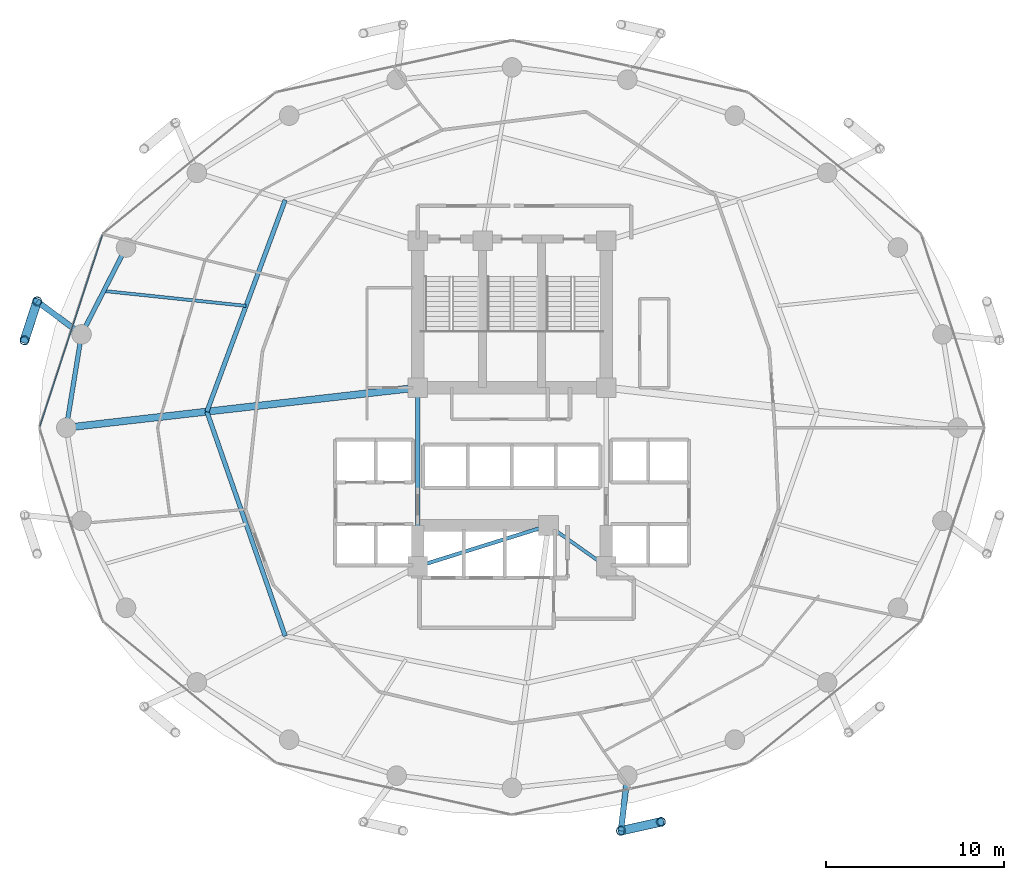
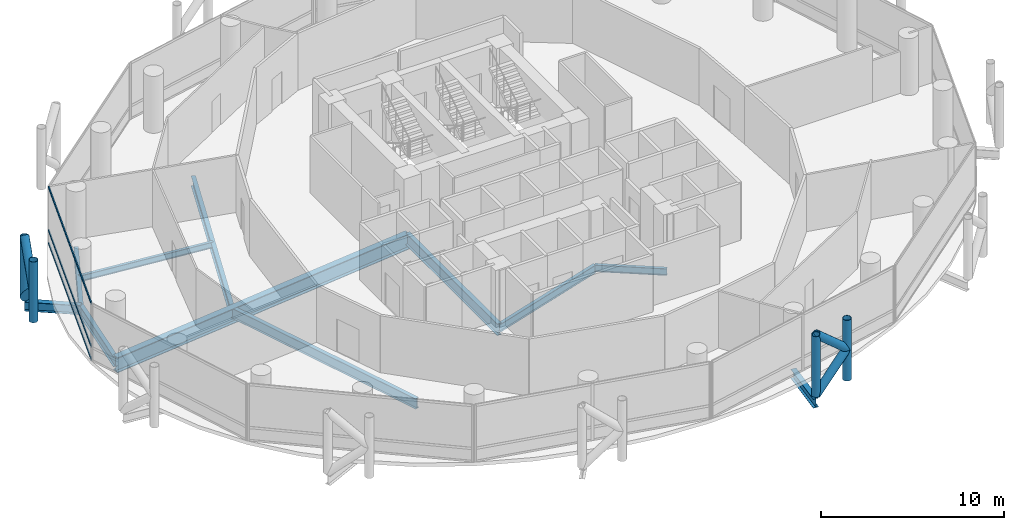
# One storey, part 7 of 24: 11 beams, 11 members, 1 element without a shape of its own.
"""IFC4 building model written with IfcOpenShell, lengths in metres."""

import ifcopenshell
import ifcopenshell.guid

model = None  # the IFC model being written
_history = None  # IfcOwnerHistory: only IFC2X3 demands one
_inside = {}  # id of a spatial element -> (the spatial element, [elements in it])
_under = {}  # id of a project, library or spatial element -> (it, [spatial elements below it])
_declared = {}  # id of a project -> (the project, [libraries it declares])
_typed = {}  # id of a type object -> (the type object, [elements of that type])
_made_of = {}  # id of a material, layer set ... -> (it, [elements and type objects made of it])


def new_model(schema):
    """Start an empty IFC model of exactly this schema.

    Asked for "IFC4X3", IfcOpenShell would pick the latest addendum, in which some entities
    have other attributes; the version numbers below select the first issue.
    IFC2X3 requires an IfcOwnerHistory on every rooted entity: one is made here for all.
    """
    global model, _history
    if schema == "IFC4X3":
        model = ifcopenshell.file(schema_version=(4, 3, 0, 0))
    else:
        model = ifcopenshell.file(schema=schema)
    _inside.clear()
    _under.clear()
    _declared.clear()
    _typed.clear()
    _made_of.clear()
    _history = None
    if model.schema == "IFC2X3":
        org = make("IfcOrganization", Name="unknown")
        user = make(
            "IfcPersonAndOrganization",
            ThePerson=make("IfcPerson", FamilyName="unknown"),
            TheOrganization=org,
        )
        app = make(
            "IfcApplication",
            ApplicationDeveloper=org,
            Version="unknown",
            ApplicationFullName="unknown",
            ApplicationIdentifier="unknown",
        )
        _history = make(
            "IfcOwnerHistory",
            OwningUser=user,
            OwningApplication=app,
            ChangeAction="ADDED",
            CreationDate=0,
        )
    return model


def make(cls, **values):
    """One entity of the class cls with the attributes given. An attribute that is None is left unset."""
    return model.create_entity(
        cls, **{name: value for name, value in values.items() if value is not None}
    )


def rooted(cls, **values):
    """An entity with a GlobalId (a new one), such as an element, a storey or a relation."""
    return make(cls, GlobalId=ifcopenshell.guid.new(), OwnerHistory=_history, **values)


def si_unit(unit_type, name, prefix=None):
    """IfcSIUnit, for example si_unit("LENGTHUNIT", "METRE", prefix="MILLI")."""
    return make("IfcSIUnit", UnitType=unit_type, Prefix=prefix, Name=name)


def assignment(units):
    """IfcUnitAssignment: the units of a project."""
    return None if units is None else make("IfcUnitAssignment", Units=units)


def point(xyz):
    """IfcCartesianPoint."""
    return None if xyz is None else make("IfcCartesianPoint", Coordinates=xyz)


def direction(xyz):
    """IfcDirection."""
    return None if xyz is None else make("IfcDirection", DirectionRatios=xyz)


def frame(location, z_axis=None, x_axis=None):
    """IfcAxis2Placement3D, a coordinate frame: its origin and axes. An axis left out is left unset."""
    return make(
        "IfcAxis2Placement3D",
        Location=point(location),
        Axis=direction(z_axis),
        RefDirection=direction(x_axis),
    )


def frame_2d(location, x_axis=None):
    """IfcAxis2Placement2D, a coordinate frame in the plane: its origin and x axis."""
    return make(
        "IfcAxis2Placement2D", Location=point(location), RefDirection=direction(x_axis)
    )


def origin():
    """The frame at (0, 0, 0) with its axes left unset."""
    return frame((0.0, 0.0, 0.0))


def origin_2d():
    """The frame at (0, 0) in the plane with its x axis left unset."""
    return frame_2d((0.0, 0.0))


def place(relative_to, where):
    """IfcLocalPlacement: puts the frame where relative to a parent placement (None: the world)."""
    return make(
        "IfcLocalPlacement", PlacementRelTo=relative_to, RelativePlacement=where
    )


def context(
    kind, dimensions, precision=None, world=None, true_north=None, identifier=None
):
    """IfcGeometricRepresentationContext, for example the 3D "Model" context."""
    return make(
        "IfcGeometricRepresentationContext",
        ContextIdentifier=identifier,
        ContextType=kind,
        CoordinateSpaceDimension=dimensions,
        Precision=precision,
        WorldCoordinateSystem=world,
        TrueNorth=true_north,
    )


def subcontext(parent, identifier, kind, view, scale=None):
    """IfcGeometricRepresentationSubContext, for example "Body" below "Model"."""
    return make(
        "IfcGeometricRepresentationSubContext",
        ContextIdentifier=identifier,
        ContextType=kind,
        ParentContext=parent,
        TargetScale=scale,
        TargetView=view,
    )


def project(units=None, contexts=None):
    """IfcProject with its units and contexts."""
    return rooted(
        "IfcProject",
        Name="project",
        RepresentationContexts=contexts,
        UnitsInContext=assignment(units),
    )


def spatial(cls, under=None, at=None, **own):
    """A site, building, storey or space (cls), placed at a placement, below another one or the project."""
    s = rooted(cls, ObjectPlacement=at, **own)
    if under is not None:
        _under.setdefault(under.id(), (under, []))[1].append(s)
    return s


def profile(cls, at=None, kind="AREA", **sizes):
    """A parametric profile (cls). Its sizes go by their IFC names, for example OverallWidth=200.0."""
    return make(cls, ProfileType=kind, Position=at, **sizes)


def hollow_rectangle(**sizes):
    """IfcRectangleHollowProfileDef."""
    return profile("IfcRectangleHollowProfileDef", **sizes)


def hollow_circle(**sizes):
    """IfcCircleHollowProfileDef."""
    return profile("IfcCircleHollowProfileDef", **sizes)


def i_section(**sizes):
    """IfcIShapeProfileDef."""
    return profile("IfcIShapeProfileDef", **sizes)


def extrude(swept, where, along, depth):
    """IfcExtrudedAreaSolid: the profile swept, set in the frame where, extruded along a direction by depth."""
    return make(
        "IfcExtrudedAreaSolid",
        SweptArea=swept,
        Position=where,
        ExtrudedDirection=direction(along),
        Depth=depth,
    )


def shape(context_of_items, identifier, shape_type, items):
    """IfcShapeRepresentation: the items that make up one representation, for example the "Body"."""
    return make(
        "IfcShapeRepresentation",
        ContextOfItems=context_of_items,
        RepresentationIdentifier=identifier,
        RepresentationType=shape_type,
        Items=items,
    )


def material(Name=None, Category=None):
    """IfcMaterial."""
    return make("IfcMaterial", Name=Name, Category=Category)


def layer(
    of_material, thickness, ventilated=None, Name=None, Category=None, Priority=None
):
    """IfcMaterialLayer: one layer of a wall or slab, of a material (None: an air gap)."""
    return make(
        "IfcMaterialLayer",
        Material=of_material,
        LayerThickness=thickness,
        IsVentilated=ventilated,
        Name=Name,
        Category=Category,
        Priority=Priority,
    )


def layer_set(layers, Name=None):
    """IfcMaterialLayerSet."""
    return make("IfcMaterialLayerSet", MaterialLayers=layers, LayerSetName=Name)


def material_profile(
    of_material, cross_section, Name=None, Category=None, Priority=None
):
    """IfcMaterialProfile: a cross section and its material."""
    return make(
        "IfcMaterialProfile",
        Name=Name,
        Material=of_material,
        Profile=cross_section,
        Priority=Priority,
        Category=Category,
    )


def profile_set(profiles, Name=None, composite=None):
    """IfcMaterialProfileSet."""
    return make(
        "IfcMaterialProfileSet",
        Name=Name,
        MaterialProfiles=profiles,
        CompositeProfile=composite,
    )


def made_of(thing, what):
    """Note that an element or type object is made of a material, layer set ...; save() writes the relation."""
    if what is not None:
        _made_of.setdefault(what.id(), (what, []))[1].append(thing)
    return thing


def type_object(cls, material=None, **own):
    """A type object (cls), such as IfcWallType, which elements share."""
    return made_of(rooted(cls, **own), material)


def element(
    cls,
    number,
    at=None,
    inside=None,
    cuts=None,
    type_object=None,
    material=None,
    context=None,
    identifier="Body",
    shape_type=None,
    held_by="IfcProductDefinitionShape",
    body=None,
    shapes=None,
    **own,
):
    """One element of the class cls, such as IfcWall. Its Tag is "e" and its number.

    at: its placement. inside: the storey or other place that contains it. cuts: it is an
    opening in that element (IfcRelVoidsElement). A single representation is given by context,
    identifier, shape_type and body (its items); several are given by shapes. held_by: the class
    of the entity that holds the representations. save() writes the other relations.
    """
    e = rooted(cls, Tag="e%d" % number, ObjectPlacement=at, **own)
    if body is not None:
        shapes = [shape(context, identifier, shape_type, body)]
    if shapes is not None:
        e.Representation = make(held_by, Representations=shapes)
    if inside is not None:
        _inside.setdefault(inside.id(), (inside, []))[1].append(e)
    if cuts is not None:
        rooted(
            "IfcRelVoidsElement", RelatingBuildingElement=cuts, RelatedOpeningElement=e
        )
    if type_object is not None:
        _typed.setdefault(type_object.id(), (type_object, []))[1].append(e)
    return made_of(e, material)


def aggregate(whole, parts):
    """IfcRelAggregates: a whole, such as a stair, and the parts it consists of."""
    return rooted("IfcRelAggregates", RelatingObject=whole, RelatedObjects=parts)


def save(model, path):
    """Write the relations noted so far, then the file.

    IfcRelAggregates (storeys below a building ...), IfcRelContainedInSpatialStructure (elements
    in a storey), IfcRelDefinesByType, IfcRelAssociatesMaterial and IfcRelDeclares: one each for
    every whole, place, type object, material and project.
    """
    for whole, parts in _under.values():
        aggregate(whole, parts)
    for where, things in _inside.values():
        rooted(
            "IfcRelContainedInSpatialStructure",
            RelatedElements=things,
            RelatingStructure=where,
        )
    for kind, things in _typed.values():
        rooted("IfcRelDefinesByType", RelatedObjects=things, RelatingType=kind)
    for what, things in _made_of.values():
        rooted("IfcRelAssociatesMaterial", RelatedObjects=things, RelatingMaterial=what)
    for by, libraries in _declared.values():
        rooted("IfcRelDeclares", RelatingContext=by, RelatedDefinitions=libraries)
    model.write(path)


model = new_model("IFC4")

# Units and contexts
model_context = context("Model", 3, precision=1e-05, world=origin(), true_north=direction((0.0, 1.0)))
body_context = subcontext(model_context, "Body", "Model", "MODEL_VIEW")
ifc_project = project(units=[si_unit("LENGTHUNIT", "METRE"), si_unit("AREAUNIT", "SQUARE_METRE"), si_unit("VOLUMEUNIT", "CUBIC_METRE"), si_unit("PLANEANGLEUNIT", "RADIAN"), si_unit("MASSUNIT", "GRAM", prefix="KILO")], contexts=[model_context])

# Site, building, storey
site_placement = place(None, origin())
site = spatial("IfcSite", under=ifc_project, at=site_placement, CompositionType="ELEMENT")
building_placement = place(site_placement, origin())
building = spatial("IfcBuilding", under=site, at=building_placement, Name="Nuhasar Tower", CompositionType="ELEMENT")
storey_placement = place(building_placement, frame((0.0, 0.0, 81.75)))
storey = spatial("IfcBuildingStorey", under=building, at=storey_placement, Name="L19", CompositionType="ELEMENT", Elevation=81.75)

# Beams
ifc_material_1 = material(Name="Steel S355", Category="steel")
ifc_material_profile_1 = material_profile(ifc_material_1, i_section(OverallWidth=0.25390625, OverallDepth=0.68408203125, WebThickness=0.012451171875, FlangeThickness=0.018798828125, at=origin_2d()), Name="W27X94")
ifc_profile_set_1 = profile_set([ifc_material_profile_1], Name="Steel S355")
beam_type_1 = type_object("IfcBeamType", Name="BM-INRING-W27X94", PredefinedType="BEAM", material=ifc_profile_set_1)
beam_1_placement = place(storey_placement, frame((26.251953125, 39.591064453125, -0.592041015625), z_axis=(-0.34715757476, -0.937806812881, 0.0), x_axis=(0.937806812881, -0.34715757476, 0.0)))
element("IfcBeam", 1, at=beam_1_placement, inside=storey, type_object=beam_type_1, Name="L19 Inner Header Beam 07", PredefinedType="BEAM", context=body_context, shape_type="SweptSolid", body=[
    extrude(i_section(OverallWidth=0.25390625, OverallDepth=0.68408203125, WebThickness=0.012451171875, FlangeThickness=0.018798828125, at=origin_2d()), origin(), (0.0, 0.0, 1.0), 12.6796875),
])
beam_2_placement = place(storey_placement, frame((21.85009765625, 27.699951171875, -0.592041015625), z_axis=(0.329554049858, -0.944136710558, 0.0), x_axis=(0.944136710558, 0.329554049858, 0.0)))
element("IfcBeam", 2, at=beam_2_placement, inside=storey, type_object=beam_type_1, Name="L19 Inner Header Beam 08", PredefinedType="BEAM", context=body_context, shape_type="SweptSolid", body=[
    extrude(i_section(OverallWidth=0.25390625, OverallDepth=0.68408203125, WebThickness=0.012451171875, FlangeThickness=0.018798828125, at=origin_2d()), origin(), (0.0, 0.0, 1.0), 13.35693359375),
])
ifc_material_profile_2 = material_profile(ifc_material_1, i_section(OverallWidth=0.177978515625, OverallDepth=0.406005859375, WebThickness=0.0078125, FlangeThickness=0.0126953125, at=origin_2d()), Name="W16X40")
ifc_profile_set_2 = profile_set([ifc_material_profile_2], Name="Steel S355")
beam_type_2 = type_object("IfcBeamType", Name="BM-JST-W16X40", PredefinedType="JOIST", material=ifc_profile_set_2)
beam_3_placement = place(storey_placement, frame((24.051025390625, 33.64501953125, -0.452880859375), z_axis=(-0.994554594377, 0.104216883485, 0.0), x_axis=(-0.104216883485, -0.994554594377, 0.0)))
element("IfcBeam", 3, at=beam_3_placement, inside=storey, type_object=beam_type_2, Name="L19 Secondary Floor Joist 07", PredefinedType="JOIST", context=body_context, shape_type="SweptSolid", body=[
    extrude(i_section(OverallWidth=0.177978515625, OverallDepth=0.406005859375, WebThickness=0.0078125, FlangeThickness=0.0126953125, at=origin_2d()), origin(), (0.0, 0.0, 1.0), 8.039794921875),
])
ifc_material_profile_3 = material_profile(ifc_material_1, i_section(OverallWidth=0.18994140625, OverallDepth=0.45703125, WebThickness=0.009033203125, FlangeThickness=0.014404296875, at=origin_2d()), Name="W18X50")
ifc_profile_set_3 = profile_set([ifc_material_profile_3], Name="Steel S355")
beam_type_3 = type_object("IfcBeamType", Name="BM-RAD-W18X50", PredefinedType="BEAM", material=ifc_profile_set_3)
beam_4_placement = place(storey_placement, frame((41.050048828125, 21.300048828125, -0.47802734375), z_axis=(0.816265428953, -0.577677028708, 0.0), x_axis=(0.577677028708, 0.816265428953, 0.0)))
element("IfcBeam", 4, at=beam_4_placement, inside=storey, type_object=beam_type_3, Name="L19 Core Ring Girder 2", PredefinedType="BEAM", context=body_context, shape_type="SweptSolid", body=[
    extrude(i_section(OverallWidth=0.18994140625, OverallDepth=0.45703125, WebThickness=0.009033203125, FlangeThickness=0.014404296875, at=origin_2d()), origin(), (0.0, 0.0, 1.0), 3.9814453125),
])
ifc_material_profile_4 = material_profile(ifc_material_1, i_section(OverallWidth=0.208984375, OverallDepth=0.532958984375, WebThickness=0.01025390625, FlangeThickness=0.015625, at=origin_2d()), Name="W21X62")
ifc_profile_set_4 = profile_set([ifc_material_profile_4], Name="Steel S355")
beam_type_4 = type_object("IfcBeamType", Name="BM-RAD-W21X62", PredefinedType="BEAM", material=ifc_profile_set_4)
beam_5_placement = place(storey_placement, frame((33.699951171875, 19.0, -0.51611328125), z_axis=(0.954363709454, 0.298646798205, 0.0), x_axis=(-0.298646798205, 0.954363709454, 0.0)))
element("IfcBeam", 5, at=beam_5_placement, inside=storey, type_object=beam_type_4, Name="L19 Core Ring Girder 1", PredefinedType="BEAM", context=body_context, shape_type="SweptSolid", body=[
    extrude(i_section(OverallWidth=0.208984375, OverallDepth=0.532958984375, WebThickness=0.01025390625, FlangeThickness=0.015625, at=origin_2d()), origin(), (0.0, 0.0, 1.0), 7.70166015625),
])
ifc_material_profile_5 = material_profile(ifc_material_1, i_section(OverallWidth=0.26611328125, OverallDepth=0.779052734375, WebThickness=0.0166015625, FlangeThickness=0.030029296875, at=origin_2d()), Name="W30X148")
ifc_profile_set_5 = profile_set([ifc_material_profile_5], Name="Steel S355")
beam_type_5 = type_object("IfcBeamType", Name="BM-RAD-W30X148", PredefinedType="BEAM", material=ifc_profile_set_5)
beam_6_placement = place(storey_placement, frame((33.699951171875, 29.050048828125, -0.638916015625), z_axis=(0.0, -1.0, 0.0), x_axis=(1.0, 0.0, 0.0)))
element("IfcBeam", 6, at=beam_6_placement, inside=storey, type_object=beam_type_5, Name="L19 Core Ring Girder 8", PredefinedType="BEAM", context=body_context, shape_type="SweptSolid", body=[
    extrude(i_section(OverallWidth=0.26611328125, OverallDepth=0.779052734375, WebThickness=0.0166015625, FlangeThickness=0.030029296875, at=origin_2d()), origin(), (0.0, 0.0, 1.0), 10.050048828125),
])
ifc_material_profile_6 = material_profile(ifc_material_1, i_section(OverallWidth=0.256103515625, OverallDepth=0.693115234375, WebThickness=0.014404296875, FlangeThickness=0.023681640625, at=origin_2d()), Name="W27X114")
ifc_profile_set_6 = profile_set([ifc_material_profile_6], Name="Steel S355")
beam_type_6 = type_object("IfcBeamType", Name="BM-RING-W27X114", PredefinedType="SPANDREL", material=ifc_profile_set_6)
beam_7_placement = place(storey_placement, frame((17.305908203125, 36.925048828125, -0.596923828125), z_axis=(-0.455930023905, -0.890015625314, 0.0), x_axis=(0.890015625314, -0.455930023905, 0.0)))
element("IfcBeam", 7, at=beam_7_placement, inside=storey, type_object=beam_type_6, Name="L19 Perimeter Ring Spandrel 11", PredefinedType="SPANDREL", context=body_context, shape_type="SweptSolid", body=[
    extrude(i_section(OverallWidth=0.256103515625, OverallDepth=0.693115234375, WebThickness=0.014404296875, FlangeThickness=0.023681640625, at=origin_2d()), origin(), (0.0, 0.0, 1.0), 5.487548828125),
])
beam_8_placement = place(storey_placement, frame((14.803955078125, 32.041015625, -0.596923828125), z_axis=(-0.160826635486, -0.986982671235, 0.0), x_axis=(0.986982671235, -0.160826635486, 0.0)))
element("IfcBeam", 8, at=beam_8_placement, inside=storey, type_object=beam_type_6, Name="L19 Perimeter Ring Spandrel 12", PredefinedType="SPANDREL", context=body_context, shape_type="SweptSolid", body=[
    extrude(i_section(OverallWidth=0.256103515625, OverallDepth=0.693115234375, WebThickness=0.014404296875, FlangeThickness=0.023681640625, at=origin_2d()), origin(), (0.0, 0.0, 1.0), 5.31005859375),
])
ifc_material_profile_7 = material_profile(ifc_material_1, i_section(OverallWidth=0.323974609375, OverallDepth=0.611083984375, WebThickness=0.0126953125, FlangeThickness=0.01904296875, at=origin_2d()), Name="W24X104")
ifc_profile_set_7 = profile_set([ifc_material_profile_7], Name="Steel S355")
beam_type_7 = type_object("IfcBeamType", Name="BM-TIE-W24X104", PredefinedType="BEAM", material=ifc_profile_set_7)
beam_9_placement = place(storey_placement, frame((14.803955078125, 32.041015625, -0.554931640625), z_axis=(-0.802151061326, 0.597121155892, 0.0), x_axis=(-0.597121155892, -0.802151061326, 0.0)))
element("IfcBeam", 9, at=beam_9_placement, inside=storey, type_object=beam_type_7, Name="L19 Exoskeleton Node Tie Beam 06", PredefinedType="BEAM", context=body_context, shape_type="SweptSolid", body=[
    extrude(i_section(OverallWidth=0.323974609375, OverallDepth=0.611083984375, WebThickness=0.0126953125, FlangeThickness=0.01904296875, at=origin_2d()), origin(), (0.0, 0.0, 1.0), 3.111328125),
])
beam_10_placement = place(storey_placement, frame((45.48291015625, 7.239990234375, -0.554931640625), z_axis=(-0.115042934281, -0.993360520291, 0.0), x_axis=(0.993360520291, -0.115042934281, 0.0)))
element("IfcBeam", 10, at=beam_10_placement, inside=storey, type_object=beam_type_7, Name="L19 Exoskeleton Node Tie Beam 10", PredefinedType="BEAM", context=body_context, shape_type="SweptSolid", body=[
    extrude(i_section(OverallWidth=0.323974609375, OverallDepth=0.611083984375, WebThickness=0.0126953125, FlangeThickness=0.01904296875, at=origin_2d()), origin(), (0.0, 0.0, 1.0), 3.11962890625),
])
ifc_material_2 = material(Name="Steel S460", Category="steel")
ifc_material_profile_8 = material_profile(ifc_material_2, i_section(OverallWidth=0.40087890625, OverallDepth=1.010009765625, WebThickness=0.023681640625, FlangeThickness=0.0419921875, at=origin_2d()), Name="W40X297")
ifc_profile_set_8 = profile_set([ifc_material_profile_8], Name="Steel S460")
beam_type_8 = type_object("IfcBeamType", Name="BM-XFER-W40X297", PredefinedType="USERDEFINED", material=ifc_profile_set_8)
beam_11_placement = place(storey_placement, frame((33.699951171875, 29.050048828125, -0.7548828125), z_axis=(-0.993573147212, -0.113191877531, 0.0), x_axis=(0.113191877531, -0.993573147212, 0.0)))
element("IfcBeam", 11, at=beam_11_placement, inside=storey, type_object=beam_type_8, Name="L19 Radial Floor Girder 08", ObjectType="GIRDER", PredefinedType="USERDEFINED", context=body_context, shape_type="SweptSolid", body=[
    extrude(i_section(OverallWidth=0.40087890625, OverallDepth=1.010009765625, WebThickness=0.023681640625, FlangeThickness=0.0419921875, at=origin_2d()), origin(), (0.0, 0.0, 1.0), 19.877685546875),
])

# Curtain wall, members
ifc_material_3 = material(Name="Aluminium 6063-T6", Category="aluminium")
ifc_layer = layer(ifc_material_3, 0.199951171875)
ifc_layer_set = layer_set([ifc_layer], Name="Aluminium 6063-T6")
curtain_wall_type = type_object("IfcCurtainWallType", Name="CW-Z1-OFF", PredefinedType="NOTDEFINED", material=ifc_layer_set)
curtain_wall_placement = place(storey_placement, origin())
curtain_wall = element("IfcCurtainWall", 12, at=curtain_wall_placement, inside=storey, type_object=curtain_wall_type, Name="L19 Unitised Curtain Wall 06", PredefinedType="NOTDEFINED")
ifc_material_profile_9 = material_profile(ifc_material_3, hollow_rectangle(XDim=0.06494140625, YDim=0.14990234375, WallThickness=0.00439453125, at=origin_2d()), Name="CWT-2")
ifc_profile_set_9 = profile_set([ifc_material_profile_9], Name="Aluminium 6063-T6")
member_type_1 = type_object("IfcMemberType", Name="CW-TRN-S2", PredefinedType="USERDEFINED", material=ifc_profile_set_9)
member_1_placement = place(storey_placement, frame((15.977783203125, 37.6181640625, 0.032470703125), z_axis=(-0.31082506089, -0.950467138581, 0.0), x_axis=(0.950467138581, -0.31082506089, 0.0)))
member_1 = element("IfcMember", 13, at=member_1_placement, type_object=member_type_1, Name="CW-Z1 transom 1.1", ObjectType="TRANSOM", PredefinedType="USERDEFINED", context=body_context, shape_type="SweptSolid", body=[
    extrude(hollow_rectangle(XDim=0.06494140625, YDim=0.14990234375, WallThickness=0.00439453125, at=origin_2d()), origin(), (0.0, 0.0, 1.0), 11.31689453125),
])
member_2_placement = place(storey_placement, frame((15.977783203125, 37.6181640625, 0.89990234375), z_axis=(-0.31082506089, -0.950467138581, 0.0), x_axis=(0.950467138581, -0.31082506089, 0.0)))
member_2 = element("IfcMember", 14, at=member_2_placement, type_object=member_type_1, Name="CW-Z1 transom 1.2", ObjectType="TRANSOM", PredefinedType="USERDEFINED", context=body_context, shape_type="SweptSolid", body=[
    extrude(hollow_rectangle(XDim=0.06494140625, YDim=0.14990234375, WallThickness=0.00439453125, at=origin_2d()), origin(), (0.0, 0.0, 1.0), 11.31689453125),
])
member_3_placement = place(storey_placement, frame((15.977783203125, 37.6181640625, 3.767578125), z_axis=(-0.31082506089, -0.950467138581, 0.0), x_axis=(0.950467138581, -0.31082506089, 0.0)))
member_3 = element("IfcMember", 15, at=member_3_placement, type_object=member_type_1, Name="CW-Z1 transom 1.3", ObjectType="TRANSOM", PredefinedType="USERDEFINED", context=body_context, shape_type="SweptSolid", body=[
    extrude(hollow_rectangle(XDim=0.06494140625, YDim=0.14990234375, WallThickness=0.00439453125, at=origin_2d()), origin(), (0.0, 0.0, 1.0), 11.31689453125),
])
aggregate(curtain_wall, [member_1, member_2, member_3])

# Members
ifc_material_profile_10 = material_profile(ifc_material_2, hollow_circle(Radius=0.25390625, WallThickness=0.025390625, at=origin_2d()), Name="HSS508X25.4")
ifc_profile_set_10 = profile_set([ifc_material_profile_10], Name="Steel S460")
member_type_2 = type_object("IfcMemberType", Name="EXO-BRONZE-508", PredefinedType="BRACE", material=ifc_profile_set_10)
for number, where, z_axis, x_axis, name in (
    (16, (12.30810546875, 33.89892578125, 0.0), (0.0, 0.0, 1.0), (1.0, 0.0, 0.0), "L19 Exoskeleton Chord Column EC-06A"),
    (17, (11.60009765625, 31.7099609375, 0.0), (0.0, 0.0, 1.0), (1.0, 0.0, 0.0), "L19 Exoskeleton Chord Column EC-06B"),
    (18, (45.1240234375, 4.14111328125, 0.0), (0.0, 0.0, 1.0), (1.0, 0.0, 0.0), "L19 Exoskeleton Chord Column EC-10A"),
    (19, (47.3701171875, 4.639892578125, 0.0), (0.0, 0.0, 1.0), (1.0, 0.0, 0.0), "L19 Exoskeleton Chord Column EC-10B"),
):
    element("IfcMember", number, at=place(storey_placement, frame(where, z_axis=z_axis, x_axis=x_axis)), inside=storey, type_object=member_type_2, Name=name, PredefinedType="BRACE", context=body_context, shape_type="SweptSolid", body=[
        extrude(hollow_circle(Radius=0.25390625, WallThickness=0.025390625, at=origin_2d()), origin(), (0.0, 0.0, 1.0), 4.050048828125),
    ])
member_4_placement = place(storey_placement, frame((12.30810546875, 33.89892578125, 0.0), z_axis=(-0.231011836313, -0.714224870475, 0.660693851854), x_axis=(0.951468282519, -0.307746823478, 0.0)))
element("IfcMember", 20, at=member_4_placement, inside=storey, type_object=member_type_2, Name="L19 Bronze Diagrid Brace W1-06", PredefinedType="BRACE", context=body_context, shape_type="SweptSolid", body=[
    extrude(hollow_circle(Radius=0.25390625, WallThickness=0.025390625, at=origin_2d()), origin(), (0.0, 0.0, 1.0), 3.064697265625),
])
for number, where, z_axis, x_axis, name in (
    (21, (11.60009765625, 31.7099609375, 2.02490234375), (0.230999678299, 0.714187281251, 0.660738734997), (-0.951468282519, 0.307746823478, 0.0), "L19 Bronze Diagrid Brace W2-06"),
    (22, (45.1240234375, 4.14111328125, 0.0), (0.732830973624, 0.162736269469, 0.66066305383), (-0.216784396973, 0.976219506683, 0.0), "L19 Bronze Diagrid Brace W1-10"),
):
    element("IfcMember", number, at=place(storey_placement, frame(where, z_axis=z_axis, x_axis=x_axis)), inside=storey, type_object=member_type_2, Name=name, PredefinedType="BRACE", context=body_context, shape_type="SweptSolid", body=[
        extrude(hollow_circle(Radius=0.25390625, WallThickness=0.025390625, at=origin_2d()), origin(), (0.0, 0.0, 1.0), 3.06494140625),
    ])
member_5_placement = place(storey_placement, frame((47.3701171875, 4.639892578125, 2.02490234375), z_axis=(-0.732792408767, -0.162727705556, 0.660707938122), x_axis=(0.216784396973, -0.976219506683, 0.0)))
element("IfcMember", 23, at=member_5_placement, inside=storey, type_object=member_type_2, Name="L19 Bronze Diagrid Brace W2-10", PredefinedType="BRACE", context=body_context, shape_type="SweptSolid", body=[
    extrude(hollow_circle(Radius=0.25390625, WallThickness=0.025390625, at=origin_2d()), origin(), (0.0, 0.0, 1.0), 3.065185546875),
])

save(model, "model.ifc")
